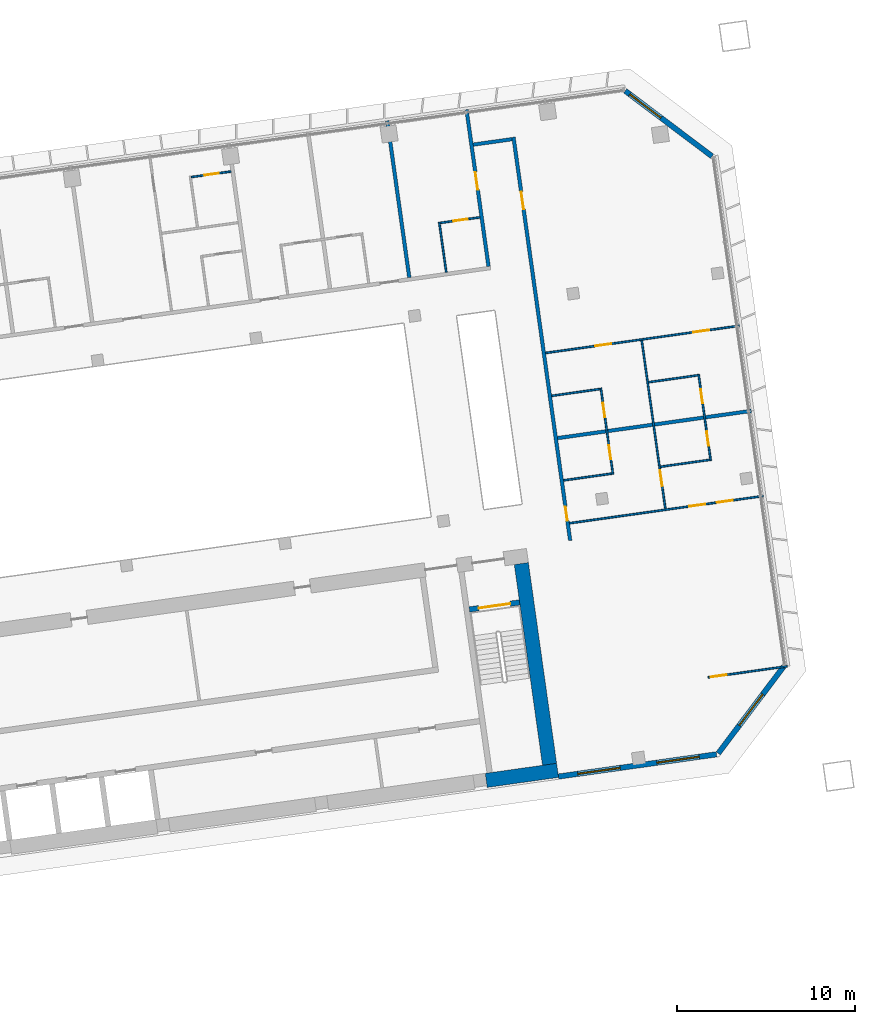
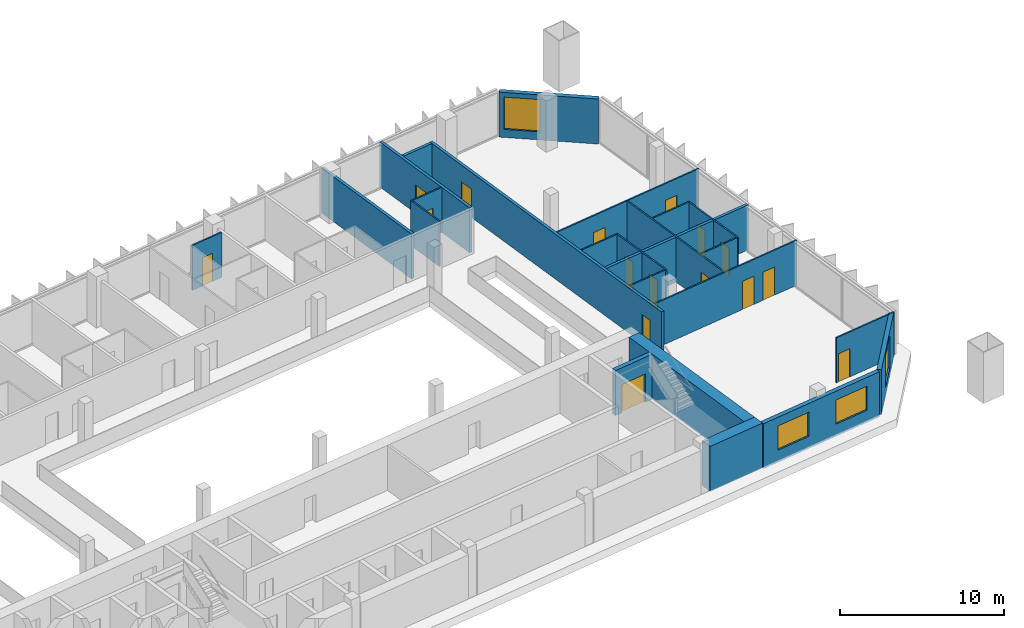
# One storey, part 21 of 24: 24 walls, 16 doors, 4 windows, 20 openings.
"""IFC4 building model written with IfcOpenShell, lengths in metres."""

import ifcopenshell
import ifcopenshell.guid

model = None  # the IFC model being written
_history = None  # IfcOwnerHistory: only IFC2X3 demands one
_inside = {}  # id of a spatial element -> (the spatial element, [elements in it])
_under = {}  # id of a project, library or spatial element -> (it, [spatial elements below it])
_declared = {}  # id of a project -> (the project, [libraries it declares])
_typed = {}  # id of a type object -> (the type object, [elements of that type])
_made_of = {}  # id of a material, layer set ... -> (it, [elements and type objects made of it])


def new_model(schema):
    """Start an empty IFC model of exactly this schema.

    Asked for "IFC4X3", IfcOpenShell would pick the latest addendum, in which some entities
    have other attributes; the version numbers below select the first issue.
    IFC2X3 requires an IfcOwnerHistory on every rooted entity: one is made here for all.
    """
    global model, _history
    if schema == "IFC4X3":
        model = ifcopenshell.file(schema_version=(4, 3, 0, 0))
    else:
        model = ifcopenshell.file(schema=schema)
    _inside.clear()
    _under.clear()
    _declared.clear()
    _typed.clear()
    _made_of.clear()
    _history = None
    if model.schema == "IFC2X3":
        org = make("IfcOrganization", Name="unknown")
        user = make(
            "IfcPersonAndOrganization",
            ThePerson=make("IfcPerson", FamilyName="unknown"),
            TheOrganization=org,
        )
        app = make(
            "IfcApplication",
            ApplicationDeveloper=org,
            Version="unknown",
            ApplicationFullName="unknown",
            ApplicationIdentifier="unknown",
        )
        _history = make(
            "IfcOwnerHistory",
            OwningUser=user,
            OwningApplication=app,
            ChangeAction="ADDED",
            CreationDate=0,
        )
    return model


def make(cls, **values):
    """One entity of the class cls with the attributes given. An attribute that is None is left unset."""
    return model.create_entity(
        cls, **{name: value for name, value in values.items() if value is not None}
    )


def rooted(cls, **values):
    """An entity with a GlobalId (a new one), such as an element, a storey or a relation."""
    return make(cls, GlobalId=ifcopenshell.guid.new(), OwnerHistory=_history, **values)


def si_unit(unit_type, name, prefix=None):
    """IfcSIUnit, for example si_unit("LENGTHUNIT", "METRE", prefix="MILLI")."""
    return make("IfcSIUnit", UnitType=unit_type, Prefix=prefix, Name=name)


def assignment(units):
    """IfcUnitAssignment: the units of a project."""
    return None if units is None else make("IfcUnitAssignment", Units=units)


def point(xyz):
    """IfcCartesianPoint."""
    return None if xyz is None else make("IfcCartesianPoint", Coordinates=xyz)


def direction(xyz):
    """IfcDirection."""
    return None if xyz is None else make("IfcDirection", DirectionRatios=xyz)


def frame(location, z_axis=None, x_axis=None):
    """IfcAxis2Placement3D, a coordinate frame: its origin and axes. An axis left out is left unset."""
    return make(
        "IfcAxis2Placement3D",
        Location=point(location),
        Axis=direction(z_axis),
        RefDirection=direction(x_axis),
    )


def frame_2d(location, x_axis=None):
    """IfcAxis2Placement2D, a coordinate frame in the plane: its origin and x axis."""
    return make(
        "IfcAxis2Placement2D", Location=point(location), RefDirection=direction(x_axis)
    )


def origin():
    """The frame at (0, 0, 0) with its axes left unset."""
    return frame((0.0, 0.0, 0.0))


def place(relative_to, where):
    """IfcLocalPlacement: puts the frame where relative to a parent placement (None: the world)."""
    return make(
        "IfcLocalPlacement", PlacementRelTo=relative_to, RelativePlacement=where
    )


def context(
    kind, dimensions, precision=None, world=None, true_north=None, identifier=None
):
    """IfcGeometricRepresentationContext, for example the 3D "Model" context."""
    return make(
        "IfcGeometricRepresentationContext",
        ContextIdentifier=identifier,
        ContextType=kind,
        CoordinateSpaceDimension=dimensions,
        Precision=precision,
        WorldCoordinateSystem=world,
        TrueNorth=true_north,
    )


def subcontext(parent, identifier, kind, view, scale=None):
    """IfcGeometricRepresentationSubContext, for example "Body" below "Model"."""
    return make(
        "IfcGeometricRepresentationSubContext",
        ContextIdentifier=identifier,
        ContextType=kind,
        ParentContext=parent,
        TargetScale=scale,
        TargetView=view,
    )


def project(units=None, contexts=None):
    """IfcProject with its units and contexts."""
    return rooted(
        "IfcProject",
        Name="project",
        RepresentationContexts=contexts,
        UnitsInContext=assignment(units),
    )


def spatial(cls, under=None, at=None, **own):
    """A site, building, storey or space (cls), placed at a placement, below another one or the project."""
    s = rooted(cls, ObjectPlacement=at, **own)
    if under is not None:
        _under.setdefault(under.id(), (under, []))[1].append(s)
    return s


def profile(cls, at=None, kind="AREA", **sizes):
    """A parametric profile (cls). Its sizes go by their IFC names, for example OverallWidth=200.0."""
    return make(cls, ProfileType=kind, Position=at, **sizes)


def rectangle(**sizes):
    """IfcRectangleProfileDef."""
    return profile("IfcRectangleProfileDef", **sizes)


def extrude(swept, where, along, depth):
    """IfcExtrudedAreaSolid: the profile swept, set in the frame where, extruded along a direction by depth."""
    return make(
        "IfcExtrudedAreaSolid",
        SweptArea=swept,
        Position=where,
        ExtrudedDirection=direction(along),
        Depth=depth,
    )


def shape(context_of_items, identifier, shape_type, items):
    """IfcShapeRepresentation: the items that make up one representation, for example the "Body"."""
    return make(
        "IfcShapeRepresentation",
        ContextOfItems=context_of_items,
        RepresentationIdentifier=identifier,
        RepresentationType=shape_type,
        Items=items,
    )


def material(Name=None, Category=None):
    """IfcMaterial."""
    return make("IfcMaterial", Name=Name, Category=Category)


def layer(
    of_material, thickness, ventilated=None, Name=None, Category=None, Priority=None
):
    """IfcMaterialLayer: one layer of a wall or slab, of a material (None: an air gap)."""
    return make(
        "IfcMaterialLayer",
        Material=of_material,
        LayerThickness=thickness,
        IsVentilated=ventilated,
        Name=Name,
        Category=Category,
        Priority=Priority,
    )


def layer_set(layers, Name=None):
    """IfcMaterialLayerSet."""
    return make("IfcMaterialLayerSet", MaterialLayers=layers, LayerSetName=Name)


def made_of(thing, what):
    """Note that an element or type object is made of a material, layer set ...; save() writes the relation."""
    if what is not None:
        _made_of.setdefault(what.id(), (what, []))[1].append(thing)
    return thing


def type_object(cls, material=None, **own):
    """A type object (cls), such as IfcWallType, which elements share."""
    return made_of(rooted(cls, **own), material)


def element(
    cls,
    number,
    at=None,
    inside=None,
    cuts=None,
    type_object=None,
    material=None,
    context=None,
    identifier="Body",
    shape_type=None,
    held_by="IfcProductDefinitionShape",
    body=None,
    shapes=None,
    **own,
):
    """One element of the class cls, such as IfcWall. Its Tag is "e" and its number.

    at: its placement. inside: the storey or other place that contains it. cuts: it is an
    opening in that element (IfcRelVoidsElement). A single representation is given by context,
    identifier, shape_type and body (its items); several are given by shapes. held_by: the class
    of the entity that holds the representations. save() writes the other relations.
    """
    e = rooted(cls, Tag="e%d" % number, ObjectPlacement=at, **own)
    if body is not None:
        shapes = [shape(context, identifier, shape_type, body)]
    if shapes is not None:
        e.Representation = make(held_by, Representations=shapes)
    if inside is not None:
        _inside.setdefault(inside.id(), (inside, []))[1].append(e)
    if cuts is not None:
        rooted(
            "IfcRelVoidsElement", RelatingBuildingElement=cuts, RelatedOpeningElement=e
        )
    if type_object is not None:
        _typed.setdefault(type_object.id(), (type_object, []))[1].append(e)
    return made_of(e, material)


def fill(opening, filler):
    """IfcRelFillsElement: the door or window that sits in an opening."""
    return rooted(
        "IfcRelFillsElement",
        RelatingOpeningElement=opening,
        RelatedBuildingElement=filler,
    )


def aggregate(whole, parts):
    """IfcRelAggregates: a whole, such as a stair, and the parts it consists of."""
    return rooted("IfcRelAggregates", RelatingObject=whole, RelatedObjects=parts)


def save(model, path):
    """Write the relations noted so far, then the file.

    IfcRelAggregates (storeys below a building ...), IfcRelContainedInSpatialStructure (elements
    in a storey), IfcRelDefinesByType, IfcRelAssociatesMaterial and IfcRelDeclares: one each for
    every whole, place, type object, material and project.
    """
    for whole, parts in _under.values():
        aggregate(whole, parts)
    for where, things in _inside.values():
        rooted(
            "IfcRelContainedInSpatialStructure",
            RelatedElements=things,
            RelatingStructure=where,
        )
    for kind, things in _typed.values():
        rooted("IfcRelDefinesByType", RelatedObjects=things, RelatingType=kind)
    for what, things in _made_of.values():
        rooted("IfcRelAssociatesMaterial", RelatedObjects=things, RelatingMaterial=what)
    for by, libraries in _declared.values():
        rooted("IfcRelDeclares", RelatingContext=by, RelatedDefinitions=libraries)
    model.write(path)


model = new_model("IFC4")

# Units and contexts
model_context = context("Model", 3, precision=1e-05, world=origin(), true_north=direction((0.0, 1.0)))
body_context = subcontext(model_context, "Body", "Model", "MODEL_VIEW")
ifc_project = project(units=[si_unit("LENGTHUNIT", "METRE"), si_unit("AREAUNIT", "SQUARE_METRE"), si_unit("VOLUMEUNIT", "CUBIC_METRE"), si_unit("PLANEANGLEUNIT", "RADIAN"), si_unit("MASSUNIT", "GRAM", prefix="KILO")], contexts=[model_context])

# Site, building, storey
site_placement = place(None, origin())
site = spatial("IfcSite", under=ifc_project, at=site_placement, CompositionType="ELEMENT")
building_placement = place(site_placement, origin())
building = spatial("IfcBuilding", under=site, at=building_placement, Name="Mirante Cascada Hotel Towers", CompositionType="ELEMENT")
storey_placement = place(building_placement, frame((0.0, 0.0, 110.1)))
storey = spatial("IfcBuildingStorey", under=building, at=storey_placement, Name="L24", CompositionType="ELEMENT", Elevation=110.1)

# Walls
ifc_material_1 = material(Name="Fire-rated plasterboard on metal studs")
ifc_layer_1 = layer(ifc_material_1, 0.2)
ifc_layer_set_1 = layer_set([ifc_layer_1], Name="Compartment wall 200 EI 120")
wall_type_1 = type_object("IfcWallType", Name="Compartment wall 200 EI 120", PredefinedType="PARTITIONING", material=ifc_layer_set_1)
wall_1_placement = place(storey_placement, frame((90.4064, 6.4896, 0.0), z_axis=(0.0, 0.0, 1.0), x_axis=(0.990268, 0.1391733, 0.0)))
element("IfcWall", 1, at=wall_1_placement, inside=storey, type_object=wall_type_1, Name="Wall 2-L24-11", PredefinedType="PARTITIONING", context=body_context, shape_type="SweptSolid", body=[
    extrude(rectangle(XDim=11.0, YDim=0.2, at=frame_2d((5.5, 0.0))), origin(), (0.0, 0.0, 1.0), 3.35),
])
wall_2_placement = place(storey_placement, frame((85.6638, 22.9901, 0.0), z_axis=(0.0, 0.0, 1.0), x_axis=(0.990267, 0.139181, 0.0)))
element("IfcWall", 2, at=wall_2_placement, inside=storey, type_object=wall_type_1, Name="Wall 2-L24-29", PredefinedType="PARTITIONING", context=body_context, shape_type="SweptSolid", body=[
    extrude(rectangle(XDim=2.2, YDim=0.2, at=frame_2d((1.1, 0.0))), origin(), (0.0, 0.0, 1.0), 3.35),
])
wall_3_placement = place(storey_placement, frame((82.0688, 15.5171, 0.0), z_axis=(0.0, 0.0, 1.0), x_axis=(-0.13917, 0.9902685, 0.0)))
element("IfcWall", 3, at=wall_3_placement, inside=storey, type_object=wall_type_1, Name="Wall 2-L24-57", PredefinedType="PARTITIONING", context=body_context, shape_type="SweptSolid", body=[
    extrude(rectangle(XDim=8.8999, YDim=0.2, at=frame_2d((4.45, 0.0))), origin(), (0.0, 0.0, 1.0), 3.35),
])

# Wall, opening, door
wall_4_placement = place(storey_placement, frame((86.525, 16.1433, 0.0), z_axis=(0.0, 0.0, 1.0), x_axis=(-0.1391684, 0.9902687, 0.0)))
wall_4 = element("IfcWall", 4, at=wall_4_placement, inside=storey, type_object=wall_type_1, Name="Wall 2-L24-59", PredefinedType="PARTITIONING", context=body_context, shape_type="SweptSolid", body=[
    extrude(rectangle(XDim=8.9, YDim=0.2, at=frame_2d((4.45, 0.0))), origin(), (0.0, 0.0, 1.0), 3.35),
])
opening_1_placement = place(wall_4_placement, frame((4.35, 0.0, 0.0)))
opening_1 = element("IfcOpeningElement", 5, at=opening_1_placement, cuts=wall_4, Name="Opening D2-L24-36", PredefinedType="OPENING", context=body_context, shape_type="SweptSolid", body=[
    extrude(rectangle(XDim=1.0, YDim=2.1, at=frame_2d((0.5, 1.05))), frame((0.0, 0.1, 0.0), z_axis=(0.0, -1.0, 0.0), x_axis=(1.0, 0.0, 0.0)), (0.0, 0.0, 1.0), 0.2),
])
ifc_material_2 = material(Name="Fire-rated timber door leaf", Category="wood")
door_type_1 = type_object("IfcDoorType", Name="Entrance door DG1 1000x2100 EI 60", OperationType="SINGLE_SWING_LEFT", PredefinedType="DOOR", material=ifc_material_2)
door_1_placement = place(opening_1_placement, origin())
door_1 = element("IfcDoor", 6, at=door_1_placement, inside=storey, type_object=door_type_1, Name="Door D2-L24-36", OperationType="SINGLE_SWING_LEFT", OverallHeight=2.1, OverallWidth=1.0, PredefinedType="DOOR", context=body_context, shape_type="SweptSolid", body=[
    extrude(rectangle(XDim=1.0, YDim=2.1, at=frame_2d((0.5, 1.05))), frame((0.0, 0.025, 0.0), z_axis=(0.0, -1.0, 0.0), x_axis=(1.0, 0.0, 0.0)), (0.0, 0.0, 1.0), 0.05),
])
fill(opening_1, door_1)

# Wall, openings, doors
wall_5_placement = place(storey_placement, frame((87.9275, 23.4092, 0.0), z_axis=(0.0, 0.0, 1.0), x_axis=(0.1391706, -0.9902684, 0.0)))
wall_5 = element("IfcWall", 7, at=wall_5_placement, inside=storey, type_object=wall_type_1, Name="Wall 2-L24-60", PredefinedType="PARTITIONING", context=body_context, shape_type="SweptSolid", body=[
    extrude(rectangle(XDim=22.9, YDim=0.2, at=frame_2d((11.45, 0.0))), origin(), (0.0, 0.0, 1.0), 3.35),
])
opening_2_placement = place(wall_5_placement, frame((20.9833, 0.0, 0.0)))
opening_2 = element("IfcOpeningElement", 8, at=opening_2_placement, cuts=wall_5, Name="Opening D2-L24-37", PredefinedType="OPENING", context=body_context, shape_type="SweptSolid", body=[
    extrude(rectangle(XDim=0.8, YDim=2.1, at=frame_2d((0.4, 1.05))), frame((0.0, 0.1, 0.0), z_axis=(0.0, -1.0, 0.0), x_axis=(1.0, 0.0, 0.0)), (0.0, 0.0, 1.0), 0.2),
])
opening_3_placement = place(wall_5_placement, frame((3.1, 0.0, 0.0)))
opening_3 = element("IfcOpeningElement", 9, at=opening_3_placement, cuts=wall_5, Name="Opening D2-L24-38", PredefinedType="OPENING", context=body_context, shape_type="SweptSolid", body=[
    extrude(rectangle(XDim=1.0, YDim=2.1, at=frame_2d((0.5, 1.05))), frame((0.0, 0.1, 0.0), z_axis=(0.0, -1.0, 0.0), x_axis=(1.0, 0.0, 0.0)), (0.0, 0.0, 1.0), 0.2),
])
ifc_material_3 = material(Name="Fire-rated timber door leaf", Category="wood")
door_type_2 = type_object("IfcDoorType", Name="Bathroom door DG4 800x2100 EI 60", OperationType="SINGLE_SWING_LEFT", PredefinedType="DOOR", material=ifc_material_3)
door_2_placement = place(opening_2_placement, origin())
door_2 = element("IfcDoor", 10, at=door_2_placement, inside=storey, type_object=door_type_2, Name="Door D2-L24-37", OperationType="SINGLE_SWING_LEFT", OverallHeight=2.1, OverallWidth=0.8, PredefinedType="DOOR", context=body_context, shape_type="SweptSolid", body=[
    extrude(rectangle(XDim=0.8, YDim=2.1, at=frame_2d((0.4, 1.05))), frame((0.0, 0.025, 0.0), z_axis=(0.0, -1.0, 0.0), x_axis=(1.0, 0.0, 0.0)), (0.0, 0.0, 1.0), 0.05),
])
fill(opening_2, door_2)
door_3_placement = place(opening_3_placement, origin())
door_3 = element("IfcDoor", 11, at=door_3_placement, inside=storey, type_object=door_type_1, Name="Door D2-L24-38", OperationType="SINGLE_SWING_LEFT", OverallHeight=2.1, OverallWidth=1.0, PredefinedType="DOOR", context=body_context, shape_type="SweptSolid", body=[
    extrude(rectangle(XDim=1.0, YDim=2.1, at=frame_2d((0.5, 1.05))), frame((0.0, 0.025, 0.0), z_axis=(0.0, -1.0, 0.0), x_axis=(1.0, 0.0, 0.0)), (0.0, 0.0, 1.0), 0.05),
])
fill(opening_3, door_3)

# Wall, opening, door
ifc_material_4 = material(Name="Plasterboard on metal studs")
ifc_layer_2 = layer(ifc_material_4, 0.1)
ifc_layer_set_2 = layer_set([ifc_layer_2], Name="Partition 100")
wall_type_2 = type_object("IfcWallType", Name="Partition 100", PredefinedType="PARTITIONING", material=ifc_layer_set_2)
wall_6_placement = place(storey_placement, frame((98.8611, -6.9647, 0.0), z_axis=(0.0, 0.0, 1.0), x_axis=(0.9902674, 0.1391779, 0.0)))
wall_6 = element("IfcWall", 12, at=wall_6_placement, inside=storey, type_object=wall_type_2, Name="Wall 2-L24-01", PredefinedType="PARTITIONING", context=body_context, shape_type="SweptSolid", body=[
    extrude(rectangle(XDim=4.5, YDim=0.1, at=frame_2d((2.25, 0.0))), origin(), (0.0, 0.0, 1.0), 3.35),
])
opening_4_placement = place(wall_6_placement, frame((0.15, 0.0, 0.0)))
opening_4 = element("IfcOpeningElement", 13, at=opening_4_placement, cuts=wall_6, Name="Opening D2-L24-01", PredefinedType="OPENING", context=body_context, shape_type="SweptSolid", body=[
    extrude(rectangle(XDim=0.9, YDim=2.1, at=frame_2d((0.45, 1.05))), frame((0.0, 0.05, 0.0), z_axis=(0.0, -1.0, 0.0), x_axis=(1.0, 0.0, 0.0)), (0.0, 0.0, 1.0), 0.1),
])
ifc_material_5 = material(Name="Timber door leaf", Category="wood")
door_type_3 = type_object("IfcDoorType", Name="Room door DG3 900x2100", OperationType="SINGLE_SWING_LEFT", PredefinedType="DOOR", material=ifc_material_5)
door_4_placement = place(opening_4_placement, origin())
door_4 = element("IfcDoor", 14, at=door_4_placement, inside=storey, type_object=door_type_3, Name="Door D2-L24-01", OperationType="SINGLE_SWING_LEFT", OverallHeight=2.1, OverallWidth=0.9, PredefinedType="DOOR", context=body_context, shape_type="SweptSolid", body=[
    extrude(rectangle(XDim=0.9, YDim=2.1, at=frame_2d((0.45, 1.05))), frame((0.0, 0.025, 0.0), z_axis=(0.0, -1.0, 0.0), x_axis=(1.0, 0.0, 0.0)), (0.0, 0.0, 1.0), 0.05),
])
fill(opening_4, door_4)

# Wall, openings, doors
wall_7_placement = place(storey_placement, frame((91.079, 1.7033, 0.0), z_axis=(0.0, 0.0, 1.0), x_axis=(0.9902682, 0.1391721, 0.0)))
wall_7 = element("IfcWall", 15, at=wall_7_placement, inside=storey, type_object=wall_type_2, Name="Wall 2-L24-05", PredefinedType="PARTITIONING", context=body_context, shape_type="SweptSolid", body=[
    extrude(rectangle(XDim=11.0001, YDim=0.1, at=frame_2d((5.5, 0.0))), origin(), (0.0, 0.0, 1.0), 3.35),
])
opening_5_placement = place(wall_7_placement, frame((6.8, 0.0, 0.0)))
opening_5 = element("IfcOpeningElement", 16, at=opening_5_placement, cuts=wall_7, Name="Opening D2-L24-03", PredefinedType="OPENING", context=body_context, shape_type="SweptSolid", body=[
    extrude(rectangle(XDim=0.9, YDim=2.1, at=frame_2d((0.45, 1.05))), frame((0.0, 0.05, 0.0), z_axis=(0.0, -1.0, 0.0), x_axis=(1.0, 0.0, 0.0)), (0.0, 0.0, 1.0), 0.1),
])
opening_6_placement = place(wall_7_placement, frame((8.375, 0.0, 0.0)))
opening_6 = element("IfcOpeningElement", 17, at=opening_6_placement, cuts=wall_7, Name="Opening D2-L24-04", PredefinedType="OPENING", context=body_context, shape_type="SweptSolid", body=[
    extrude(rectangle(XDim=0.9, YDim=2.1, at=frame_2d((0.45, 1.05))), frame((0.0, 0.05, 0.0), z_axis=(0.0, -1.0, 0.0), x_axis=(1.0, 0.0, 0.0)), (0.0, 0.0, 1.0), 0.1),
])
door_5_placement = place(opening_5_placement, frame((0.9, 0.0, 0.0), z_axis=(0.0, 0.0, 1.0), x_axis=(-1.0, 0.0, 0.0)))
door_5 = element("IfcDoor", 18, at=door_5_placement, inside=storey, type_object=door_type_3, Name="Door D2-L24-03", OperationType="SINGLE_SWING_RIGHT", OverallHeight=2.1, OverallWidth=0.9, PredefinedType="DOOR", context=body_context, shape_type="SweptSolid", body=[
    extrude(rectangle(XDim=0.9, YDim=2.1, at=frame_2d((0.45, 1.05))), frame((0.0, 0.025, 0.0), z_axis=(0.0, -1.0, 0.0), x_axis=(1.0, 0.0, 0.0)), (0.0, 0.0, 1.0), 0.05),
])
fill(opening_5, door_5)
door_6_placement = place(opening_6_placement, frame((0.9, 0.0, 0.0), z_axis=(0.0, 0.0, 1.0), x_axis=(-1.0, 0.0, 0.0)))
door_6 = element("IfcDoor", 19, at=door_6_placement, inside=storey, type_object=door_type_3, Name="Door D2-L24-04", OperationType="SINGLE_SWING_RIGHT", OverallHeight=2.1, OverallWidth=0.9, PredefinedType="DOOR", context=body_context, shape_type="SweptSolid", body=[
    extrude(rectangle(XDim=0.9, YDim=2.1, at=frame_2d((0.45, 1.05))), frame((0.0, 0.025, 0.0), z_axis=(0.0, -1.0, 0.0), x_axis=(1.0, 0.0, 0.0)), (0.0, 0.0, 1.0), 0.05),
])
fill(opening_6, door_6)

# Walls
wall_8_placement = place(storey_placement, frame((93.4636, 4.4956, 0.0), z_axis=(0.0, 0.0, 1.0), x_axis=(-0.9902691, -0.1391657, 0.0)))
element("IfcWall", 20, at=wall_8_placement, inside=storey, type_object=wall_type_2, Name="Wall 2-L24-06", PredefinedType="PARTITIONING", context=body_context, shape_type="SweptSolid", body=[
    extrude(rectangle(XDim=2.75, YDim=0.1, at=frame_2d((1.375, 0.0))), origin(), (0.0, 0.0, 1.0), 3.35),
])
wall_9_placement = place(storey_placement, frame((96.1868, 4.8784, 0.0), z_axis=(0.0, 0.0, 1.0), x_axis=(0.9902677, 0.139176, 0.0)))
element("IfcWall", 21, at=wall_9_placement, inside=storey, type_object=wall_type_2, Name="Wall 2-L24-07", PredefinedType="PARTITIONING", context=body_context, shape_type="SweptSolid", body=[
    extrude(rectangle(XDim=2.8001, YDim=0.1, at=frame_2d((1.4, 0.0))), origin(), (0.0, 0.0, 1.0), 3.35),
])
wall_10_placement = place(storey_placement, frame((92.7956, 9.2489, 0.0), z_axis=(0.0, 0.0, 1.0), x_axis=(-0.9902698, -0.1391607, 0.0)))
element("IfcWall", 22, at=wall_10_placement, inside=storey, type_object=wall_type_2, Name="Wall 2-L24-14", PredefinedType="PARTITIONING", context=body_context, shape_type="SweptSolid", body=[
    extrude(rectangle(XDim=2.7501, YDim=0.1, at=frame_2d((1.3751, 0.0))), origin(), (0.0, 0.0, 1.0), 3.35),
])
wall_11_placement = place(storey_placement, frame((95.5188, 9.6317, 0.0), z_axis=(0.0, 0.0, 1.0), x_axis=(0.9902726, 0.139141, 0.0)))
element("IfcWall", 23, at=wall_11_placement, inside=storey, type_object=wall_type_2, Name="Wall 2-L24-15", PredefinedType="PARTITIONING", context=body_context, shape_type="SweptSolid", body=[
    extrude(rectangle(XDim=2.8, YDim=0.1, at=frame_2d((1.4, 0.0))), origin(), (0.0, 0.0, 1.0), 3.35),
])

# Wall, openings, doors
wall_12_placement = place(storey_placement, frame((89.7337, 11.2758, 0.0), z_axis=(0.0, 0.0, 1.0), x_axis=(0.990268, 0.1391733, 0.0)))
wall_12 = element("IfcWall", 24, at=wall_12_placement, inside=storey, type_object=wall_type_2, Name="Wall 2-L24-17", PredefinedType="PARTITIONING", context=body_context, shape_type="SweptSolid", body=[
    extrude(rectangle(XDim=11.0, YDim=0.1, at=frame_2d((5.5, 0.0))), origin(), (0.0, 0.0, 1.0), 3.35),
])
opening_7_placement = place(wall_12_placement, frame((2.825, 0.0, 0.0)))
opening_7 = element("IfcOpeningElement", 25, at=opening_7_placement, cuts=wall_12, Name="Opening D2-L24-07", PredefinedType="OPENING", context=body_context, shape_type="SweptSolid", body=[
    extrude(rectangle(XDim=0.9, YDim=2.1, at=frame_2d((0.45, 1.05))), frame((0.0, 0.05, 0.0), z_axis=(0.0, -1.0, 0.0), x_axis=(1.0, 0.0, 0.0)), (0.0, 0.0, 1.0), 0.1),
])
opening_8_placement = place(wall_12_placement, frame((8.375, 0.0, 0.0)))
opening_8 = element("IfcOpeningElement", 26, at=opening_8_placement, cuts=wall_12, Name="Opening D2-L24-08", PredefinedType="OPENING", context=body_context, shape_type="SweptSolid", body=[
    extrude(rectangle(XDim=0.9, YDim=2.1, at=frame_2d((0.45, 1.05))), frame((0.0, 0.05, 0.0), z_axis=(0.0, -1.0, 0.0), x_axis=(1.0, 0.0, 0.0)), (0.0, 0.0, 1.0), 0.1),
])
door_7_placement = place(opening_7_placement, origin())
door_7 = element("IfcDoor", 27, at=door_7_placement, inside=storey, type_object=door_type_3, Name="Door D2-L24-07", OperationType="SINGLE_SWING_LEFT", OverallHeight=2.1, OverallWidth=0.9, PredefinedType="DOOR", context=body_context, shape_type="SweptSolid", body=[
    extrude(rectangle(XDim=0.9, YDim=2.1, at=frame_2d((0.45, 1.05))), frame((0.0, 0.025, 0.0), z_axis=(0.0, -1.0, 0.0), x_axis=(1.0, 0.0, 0.0)), (0.0, 0.0, 1.0), 0.05),
])
fill(opening_7, door_7)
door_8_placement = place(opening_8_placement, origin())
door_8 = element("IfcDoor", 28, at=door_8_placement, inside=storey, type_object=door_type_3, Name="Door D2-L24-08", OperationType="SINGLE_SWING_LEFT", OverallHeight=2.1, OverallWidth=0.9, PredefinedType="DOOR", context=body_context, shape_type="SweptSolid", body=[
    extrude(rectangle(XDim=0.9, YDim=2.1, at=frame_2d((0.45, 1.05))), frame((0.0, 0.025, 0.0), z_axis=(0.0, -1.0, 0.0), x_axis=(1.0, 0.0, 0.0)), (0.0, 0.0, 1.0), 0.05),
])
fill(opening_8, door_8)

# Wall, opening, door
wall_13_placement = place(storey_placement, frame((86.0363, 18.9022, 0.0), z_axis=(0.0, 0.0, 1.0), x_axis=(-0.9902643, -0.1391997, 0.0)))
wall_13 = element("IfcWall", 29, at=wall_13_placement, inside=storey, type_object=wall_type_2, Name="Wall 2-L24-24", PredefinedType="PARTITIONING", context=body_context, shape_type="SweptSolid", body=[
    extrude(rectangle(XDim=2.25, YDim=0.1, at=frame_2d((1.125, 0.0))), origin(), (0.0, 0.0, 1.0), 3.35),
])
opening_9_placement = place(wall_13_placement, frame((0.7, 0.0, 0.0)))
opening_9 = element("IfcOpeningElement", 30, at=opening_9_placement, cuts=wall_13, Name="Opening D2-L24-23", PredefinedType="OPENING", context=body_context, shape_type="SweptSolid", body=[
    extrude(rectangle(XDim=0.8, YDim=2.1, at=frame_2d((0.4, 1.05))), frame((0.0, 0.05, 0.0), z_axis=(0.0, -1.0, 0.0), x_axis=(1.0, 0.0, 0.0)), (0.0, 0.0, 1.0), 0.1),
])
ifc_material_6 = material(Name="Timber door leaf", Category="wood")
door_type_4 = type_object("IfcDoorType", Name="Bathroom door DG4 800x2100", OperationType="SINGLE_SWING_LEFT", PredefinedType="DOOR", material=ifc_material_6)
door_9_placement = place(opening_9_placement, frame((0.8, 0.0, 0.0), z_axis=(0.0, 0.0, 1.0), x_axis=(-1.0, 0.0, 0.0)))
door_9 = element("IfcDoor", 31, at=door_9_placement, inside=storey, type_object=door_type_4, Name="Door D2-L24-23", OperationType="SINGLE_SWING_RIGHT", OverallHeight=2.1, OverallWidth=0.8, PredefinedType="DOOR", context=body_context, shape_type="SweptSolid", body=[
    extrude(rectangle(XDim=0.8, YDim=2.1, at=frame_2d((0.4, 1.05))), frame((0.0, 0.025, 0.0), z_axis=(0.0, -1.0, 0.0), x_axis=(1.0, 0.0, 0.0)), (0.0, 0.0, 1.0), 0.05),
])
fill(opening_9, door_9)

wall_14_placement = place(storey_placement, frame((69.8133, 21.1664, 0.0), z_axis=(0.0, 0.0, 1.0), x_axis=(0.9902705, 0.1391561, 0.0)))
wall_14 = element("IfcWall", 32, at=wall_14_placement, inside=storey, type_object=wall_type_2, Name="Wall 2-L24-31", PredefinedType="PARTITIONING", context=body_context, shape_type="SweptSolid", body=[
    extrude(rectangle(XDim=2.25, YDim=0.1, at=frame_2d((1.125, 0.0))), origin(), (0.0, 0.0, 1.0), 3.35),
])
opening_10_placement = place(wall_14_placement, frame((0.75, 0.0, 0.0)))
opening_10 = element("IfcOpeningElement", 33, at=opening_10_placement, cuts=wall_14, Name="Opening D2-L24-25", PredefinedType="OPENING", context=body_context, shape_type="SweptSolid", body=[
    extrude(rectangle(XDim=0.8, YDim=2.1, at=frame_2d((0.4, 1.05))), frame((0.0, 0.05, 0.0), z_axis=(0.0, -1.0, 0.0), x_axis=(1.0, 0.0, 0.0)), (0.0, 0.0, 1.0), 0.1),
])
door_10_placement = place(opening_10_placement, frame((0.8, 0.0, 0.0), z_axis=(0.0, 0.0, 1.0), x_axis=(-1.0, 0.0, 0.0)))
door_10 = element("IfcDoor", 34, at=door_10_placement, inside=storey, type_object=door_type_4, Name="Door D2-L24-25", OperationType="SINGLE_SWING_RIGHT", OverallHeight=2.1, OverallWidth=0.8, PredefinedType="DOOR", context=body_context, shape_type="SweptSolid", body=[
    extrude(rectangle(XDim=0.8, YDim=2.1, at=frame_2d((0.4, 1.05))), frame((0.0, 0.025, 0.0), z_axis=(0.0, -1.0, 0.0), x_axis=(1.0, 0.0, 0.0)), (0.0, 0.0, 1.0), 0.05),
])
fill(opening_10, door_10)

# Wall
wall_15_placement = place(storey_placement, frame((83.7517, 18.6316, 0.0), z_axis=(0.0, 0.0, 1.0), x_axis=(0.1391909, -0.9902656, 0.0)))
element("IfcWall", 35, at=wall_15_placement, inside=storey, type_object=wall_type_2, Name="Wall 2-L24-58", PredefinedType="PARTITIONING", context=body_context, shape_type="SweptSolid", body=[
    extrude(rectangle(XDim=2.85, YDim=0.1, at=frame_2d((1.425, 0.0))), origin(), (0.0, 0.0, 1.0), 3.35),
])

# Wall, openings, doors
wall_16_placement = place(storey_placement, frame((93.5201, 4.4531, 0.0), z_axis=(0.0, 0.0, 1.0), x_axis=(-0.1391838, 0.9902666, 0.0)))
wall_16 = element("IfcWall", 36, at=wall_16_placement, inside=storey, type_object=wall_type_2, Name="Wall 2-L24-61", PredefinedType="PARTITIONING", context=body_context, shape_type="SweptSolid", body=[
    extrude(rectangle(XDim=4.9, YDim=0.1, at=frame_2d((2.45, 0.0))), origin(), (0.0, 0.0, 1.0), 3.35),
])
opening_11_placement = place(wall_16_placement, frame((0.85, 0.0, 0.0)))
opening_11 = element("IfcOpeningElement", 37, at=opening_11_placement, cuts=wall_16, Name="Opening D2-L24-39", PredefinedType="OPENING", context=body_context, shape_type="SweptSolid", body=[
    extrude(rectangle(XDim=0.8, YDim=2.1, at=frame_2d((0.4, 1.05))), frame((0.0, 0.05, 0.0), z_axis=(0.0, -1.0, 0.0), x_axis=(1.0, 0.0, 0.0)), (0.0, 0.0, 1.0), 0.1),
])
opening_12_placement = place(wall_16_placement, frame((3.25, 0.0, 0.0)))
opening_12 = element("IfcOpeningElement", 38, at=opening_12_placement, cuts=wall_16, Name="Opening D2-L24-40", PredefinedType="OPENING", context=body_context, shape_type="SweptSolid", body=[
    extrude(rectangle(XDim=0.8, YDim=2.1, at=frame_2d((0.4, 1.05))), frame((0.0, 0.05, 0.0), z_axis=(0.0, -1.0, 0.0), x_axis=(1.0, 0.0, 0.0)), (0.0, 0.0, 1.0), 0.1),
])
door_11_placement = place(opening_11_placement, origin())
door_11 = element("IfcDoor", 39, at=door_11_placement, inside=storey, type_object=door_type_4, Name="Door D2-L24-39", OperationType="SINGLE_SWING_LEFT", OverallHeight=2.1, OverallWidth=0.8, PredefinedType="DOOR", context=body_context, shape_type="SweptSolid", body=[
    extrude(rectangle(XDim=0.8, YDim=2.1, at=frame_2d((0.4, 1.05))), frame((0.0, 0.025, 0.0), z_axis=(0.0, -1.0, 0.0), x_axis=(1.0, 0.0, 0.0)), (0.0, 0.0, 1.0), 0.05),
])
fill(opening_11, door_11)
door_12_placement = place(opening_12_placement, origin())
door_12 = element("IfcDoor", 40, at=door_12_placement, inside=storey, type_object=door_type_4, Name="Door D2-L24-40", OperationType="SINGLE_SWING_LEFT", OverallHeight=2.1, OverallWidth=0.8, PredefinedType="DOOR", context=body_context, shape_type="SweptSolid", body=[
    extrude(rectangle(XDim=0.8, YDim=2.1, at=frame_2d((0.4, 1.05))), frame((0.0, 0.025, 0.0), z_axis=(0.0, -1.0, 0.0), x_axis=(1.0, 0.0, 0.0)), (0.0, 0.0, 1.0), 0.05),
])
fill(opening_12, door_12)

# Wall, opening, door
wall_17_placement = place(storey_placement, frame((95.1376, 11.9848, 0.0), z_axis=(0.0, 0.0, 1.0), x_axis=(0.1391717, -0.9902683, 0.0)))
wall_17 = element("IfcWall", 41, at=wall_17_placement, inside=storey, type_object=wall_type_2, Name="Wall 2-L24-62", PredefinedType="PARTITIONING", context=body_context, shape_type="SweptSolid", body=[
    extrude(rectangle(XDim=9.5666, YDim=0.1, at=frame_2d((4.7833, 0.0))), origin(), (0.0, 0.0, 1.0), 3.35),
])
opening_13_placement = place(wall_17_placement, frame((7.3666, 0.0, 0.0)))
opening_13 = element("IfcOpeningElement", 42, at=opening_13_placement, cuts=wall_17, Name="Opening D2-L24-41", PredefinedType="OPENING", context=body_context, shape_type="SweptSolid", body=[
    extrude(rectangle(XDim=0.9, YDim=2.1, at=frame_2d((0.45, 1.05))), frame((0.0, 0.05, 0.0), z_axis=(0.0, -1.0, 0.0), x_axis=(1.0, 0.0, 0.0)), (0.0, 0.0, 1.0), 0.1),
])
door_13_placement = place(opening_13_placement, frame((0.9, 0.0, 0.0), z_axis=(0.0, 0.0, 1.0), x_axis=(-1.0, 0.0, 0.0)))
door_13 = element("IfcDoor", 43, at=door_13_placement, inside=storey, type_object=door_type_3, Name="Door D2-L24-41", OperationType="SINGLE_SWING_RIGHT", OverallHeight=2.1, OverallWidth=0.9, PredefinedType="DOOR", context=body_context, shape_type="SweptSolid", body=[
    extrude(rectangle(XDim=0.9, YDim=2.1, at=frame_2d((0.45, 1.05))), frame((0.0, 0.025, 0.0), z_axis=(0.0, -1.0, 0.0), x_axis=(1.0, 0.0, 0.0)), (0.0, 0.0, 1.0), 0.05),
])
fill(opening_13, door_13)

# Wall, openings, doors
wall_18_placement = place(storey_placement, frame((99.0161, 5.2255, 0.0), z_axis=(0.0, 0.0, 1.0), x_axis=(-0.1391838, 0.9902666, 0.0)))
wall_18 = element("IfcWall", 44, at=wall_18_placement, inside=storey, type_object=wall_type_2, Name="Wall 2-L24-63", PredefinedType="PARTITIONING", context=body_context, shape_type="SweptSolid", body=[
    extrude(rectangle(XDim=4.9, YDim=0.1, at=frame_2d((2.45, 0.0))), origin(), (0.0, 0.0, 1.0), 3.35),
])
opening_14_placement = place(wall_18_placement, frame((0.85, 0.0, 0.0)))
opening_14 = element("IfcOpeningElement", 45, at=opening_14_placement, cuts=wall_18, Name="Opening D2-L24-42", PredefinedType="OPENING", context=body_context, shape_type="SweptSolid", body=[
    extrude(rectangle(XDim=0.8, YDim=2.1, at=frame_2d((0.4, 1.05))), frame((0.0, 0.05, 0.0), z_axis=(0.0, -1.0, 0.0), x_axis=(1.0, 0.0, 0.0)), (0.0, 0.0, 1.0), 0.1),
])
opening_15_placement = place(wall_18_placement, frame((3.25, 0.0, 0.0)))
opening_15 = element("IfcOpeningElement", 46, at=opening_15_placement, cuts=wall_18, Name="Opening D2-L24-43", PredefinedType="OPENING", context=body_context, shape_type="SweptSolid", body=[
    extrude(rectangle(XDim=0.8, YDim=2.1, at=frame_2d((0.4, 1.05))), frame((0.0, 0.05, 0.0), z_axis=(0.0, -1.0, 0.0), x_axis=(1.0, 0.0, 0.0)), (0.0, 0.0, 1.0), 0.1),
])
door_14_placement = place(opening_14_placement, origin())
door_14 = element("IfcDoor", 47, at=door_14_placement, inside=storey, type_object=door_type_4, Name="Door D2-L24-42", OperationType="SINGLE_SWING_LEFT", OverallHeight=2.1, OverallWidth=0.8, PredefinedType="DOOR", context=body_context, shape_type="SweptSolid", body=[
    extrude(rectangle(XDim=0.8, YDim=2.1, at=frame_2d((0.4, 1.05))), frame((0.0, 0.025, 0.0), z_axis=(0.0, -1.0, 0.0), x_axis=(1.0, 0.0, 0.0)), (0.0, 0.0, 1.0), 0.05),
])
fill(opening_14, door_14)
door_15_placement = place(opening_15_placement, origin())
door_15 = element("IfcDoor", 48, at=door_15_placement, inside=storey, type_object=door_type_4, Name="Door D2-L24-43", OperationType="SINGLE_SWING_LEFT", OverallHeight=2.1, OverallWidth=0.8, PredefinedType="DOOR", context=body_context, shape_type="SweptSolid", body=[
    extrude(rectangle(XDim=0.8, YDim=2.1, at=frame_2d((0.4, 1.05))), frame((0.0, 0.025, 0.0), z_axis=(0.0, -1.0, 0.0), x_axis=(1.0, 0.0, 0.0)), (0.0, 0.0, 1.0), 0.05),
])
fill(opening_15, door_15)

# Wall, openings, windows
ifc_material_7 = material(Name="Precast concrete C40/50", Category="concrete")
ifc_layer_3 = layer(ifc_material_7, 0.3)
ifc_layer_set_3 = layer_set([ifc_layer_3], Name="Precast concrete C40/50 cladding wall 300")
wall_type_3 = type_object("IfcWallType", Name="Precast concrete C40/50 cladding wall 300", PredefinedType="STANDARD", material=ifc_layer_set_3)
wall_19_placement = place(storey_placement, frame((90.4551, -12.5388, 0.0), z_axis=(0.0, 0.0, 1.0), x_axis=(0.990268, 0.1391734, 0.0)))
wall_19 = element("IfcWall", 49, at=wall_19_placement, inside=storey, type_object=wall_type_3, Name="Rear cladding wall T2 L24 1", PredefinedType="STANDARD", context=body_context, shape_type="SweptSolid", body=[
    extrude(rectangle(XDim=8.9759, YDim=0.3, at=frame_2d((4.488, 0.0))), origin(), (0.0, 0.0, 1.0), 3.35),
])
opening_16_placement = place(wall_19_placement, frame((1.1012, 0.0, 0.9)))
opening_16 = element("IfcOpeningElement", 50, at=opening_16_placement, cuts=wall_19, Name="Opening W2-24-01", PredefinedType="OPENING", context=body_context, shape_type="SweptSolid", body=[
    extrude(rectangle(XDim=2.4, YDim=1.8, at=frame_2d((1.2, 0.9))), frame((0.0, 0.15, 0.0), z_axis=(0.0, -1.0, 0.0), x_axis=(1.0, 0.0, 0.0)), (0.0, 0.0, 1.0), 0.3),
])
opening_17_placement = place(wall_19_placement, frame((5.5923, 0.0, 0.9)))
opening_17 = element("IfcOpeningElement", 51, at=opening_17_placement, cuts=wall_19, Name="Opening W2-24-02", PredefinedType="OPENING", context=body_context, shape_type="SweptSolid", body=[
    extrude(rectangle(XDim=2.4, YDim=1.8, at=frame_2d((1.2, 0.9))), frame((0.0, 0.15, 0.0), z_axis=(0.0, -1.0, 0.0), x_axis=(1.0, 0.0, 0.0)), (0.0, 0.0, 1.0), 0.3),
])
ifc_material_8 = material(Name="Aluminium frame with clear double glazing", Category="aluminium")
window_type_1 = type_object("IfcWindowType", Name="Punched window 2400x1800", PartitioningType="DOUBLE_PANEL_VERTICAL", PredefinedType="WINDOW", material=ifc_material_8)
window_1_placement = place(opening_16_placement, origin())
window_1 = element("IfcWindow", 52, at=window_1_placement, inside=storey, type_object=window_type_1, Name="Window W2-24-01", OverallHeight=1.8, OverallWidth=2.4, PartitioningType="SINGLE_PANEL", PredefinedType="WINDOW", context=body_context, shape_type="SweptSolid", body=[
    extrude(rectangle(XDim=2.4, YDim=1.8, at=frame_2d((1.2, 0.9))), frame((0.0, 0.03, 0.0), z_axis=(0.0, -1.0, 0.0), x_axis=(1.0, 0.0, 0.0)), (0.0, 0.0, 1.0), 0.06),
])
fill(opening_16, window_1)
window_2_placement = place(opening_17_placement, origin())
window_2 = element("IfcWindow", 53, at=window_2_placement, inside=storey, type_object=window_type_1, Name="Window W2-24-02", OverallHeight=1.8, OverallWidth=2.4, PartitioningType="SINGLE_PANEL", PredefinedType="WINDOW", context=body_context, shape_type="SweptSolid", body=[
    extrude(rectangle(XDim=2.4, YDim=1.8, at=frame_2d((1.2, 0.9))), frame((0.0, 0.03, 0.0), z_axis=(0.0, -1.0, 0.0), x_axis=(1.0, 0.0, 0.0)), (0.0, 0.0, 1.0), 0.06),
])
fill(opening_17, window_2)

# Wall, opening, window
wall_20_placement = place(storey_placement, frame((99.4423, -11.2315, 0.0), z_axis=(0.0, 0.0, 1.0), x_axis=(0.6018141, 0.7986362, 0.0)))
wall_20 = element("IfcWall", 54, at=wall_20_placement, inside=storey, type_object=wall_type_3, Name="Corner cladding wall T2 L24 rear outer", PredefinedType="STANDARD", context=body_context, shape_type="SweptSolid", body=[
    extrude(rectangle(XDim=6.1157, YDim=0.3, at=frame_2d((3.0578, 0.0))), origin(), (0.0, 0.0, 1.0), 3.35),
])
opening_18_placement = place(wall_20_placement, frame((1.9578, 0.0, 0.6)))
opening_18 = element("IfcOpeningElement", 55, at=opening_18_placement, cuts=wall_20, Name="Opening W2-24-03", PredefinedType="OPENING", context=body_context, shape_type="SweptSolid", body=[
    extrude(rectangle(XDim=2.2, YDim=2.4, at=frame_2d((1.1, 1.2))), frame((0.0, 0.15, 0.0), z_axis=(0.0, -1.0, 0.0), x_axis=(1.0, 0.0, 0.0)), (0.0, 0.0, 1.0), 0.3),
])
ifc_material_9 = material(Name="Aluminium frame with clear double glazing", Category="aluminium")
window_type_2 = type_object("IfcWindowType", Name="Corner suite window 2200x2400", PartitioningType="DOUBLE_PANEL_VERTICAL", PredefinedType="WINDOW", material=ifc_material_9)
window_3_placement = place(opening_18_placement, origin())
window_3 = element("IfcWindow", 56, at=window_3_placement, inside=storey, type_object=window_type_2, Name="Window W2-24-03", OverallHeight=2.4, OverallWidth=2.2, PartitioningType="SINGLE_PANEL", PredefinedType="WINDOW", context=body_context, shape_type="SweptSolid", body=[
    extrude(rectangle(XDim=2.2, YDim=2.4, at=frame_2d((1.1, 1.2))), frame((0.0, 0.03, 0.0), z_axis=(0.0, -1.0, 0.0), x_axis=(1.0, 0.0, 0.0)), (0.0, 0.0, 1.0), 0.06),
])
fill(opening_18, window_3)

wall_21_placement = place(storey_placement, frame((99.0919, 22.3343, 0.0), z_axis=(0.0, 0.0, 1.0), x_axis=(-0.7986362, 0.6018141, 0.0)))
wall_21 = element("IfcWall", 57, at=wall_21_placement, inside=storey, type_object=wall_type_3, Name="Corner cladding wall T2 L24 outer front", PredefinedType="STANDARD", context=body_context, shape_type="SweptSolid", body=[
    extrude(rectangle(XDim=6.1157, YDim=0.3, at=frame_2d((3.0578, 0.0))), origin(), (0.0, 0.0, 1.0), 3.35),
])
opening_19_placement = place(wall_21_placement, frame((3.595, 0.0, 0.6)))
opening_19 = element("IfcOpeningElement", 58, at=opening_19_placement, cuts=wall_21, Name="Opening W2-24-04", PredefinedType="OPENING", context=body_context, shape_type="SweptSolid", body=[
    extrude(rectangle(XDim=2.2, YDim=2.4, at=frame_2d((1.1, 1.2))), frame((0.0, 0.15, 0.0), z_axis=(0.0, -1.0, 0.0), x_axis=(1.0, 0.0, 0.0)), (0.0, 0.0, 1.0), 0.3),
])
window_4_placement = place(opening_19_placement, origin())
window_4 = element("IfcWindow", 59, at=window_4_placement, inside=storey, type_object=window_type_2, Name="Window W2-24-04", OverallHeight=2.4, OverallWidth=2.2, PartitioningType="SINGLE_PANEL", PredefinedType="WINDOW", context=body_context, shape_type="SweptSolid", body=[
    extrude(rectangle(XDim=2.2, YDim=2.4, at=frame_2d((1.1, 1.2))), frame((0.0, 0.03, 0.0), z_axis=(0.0, -1.0, 0.0), x_axis=(1.0, 0.0, 0.0)), (0.0, 0.0, 1.0), 0.06),
])
fill(opening_19, window_4)

# Wall, opening, door
ifc_material_10 = material(Name="Concrete C50/60", Category="concrete")
ifc_layer_4 = layer(ifc_material_10, 0.3)
ifc_layer_set_4 = layer_set([ifc_layer_4], Name="RC core wall 300 C50/60")
wall_type_4 = type_object("IfcWallType", Name="RC core wall 300 C50/60", PredefinedType="SHEAR", material=ifc_layer_set_4)
wall_22_placement = place(storey_placement, frame((85.4489, -3.1441, 0.0), z_axis=(0.0, 0.0, 1.0), x_axis=(0.9902697, 0.1391613, 0.0)))
wall_22 = element("IfcWall", 60, at=wall_22_placement, inside=storey, type_object=wall_type_4, Name="Core wall T2:L24:11", PredefinedType="SHEAR", context=body_context, shape_type="SweptSolid", body=[
    extrude(rectangle(XDim=2.8499, YDim=0.3, at=frame_2d((1.425, 0.0))), origin(), (0.0, 0.0, 1.0), 3.35),
])
opening_20_placement = place(wall_22_placement, frame((0.525, 0.0, 0.0)))
opening_20 = element("IfcOpeningElement", 61, at=opening_20_placement, cuts=wall_22, Name="Opening D2-24-C17", PredefinedType="OPENING", context=body_context, shape_type="SweptSolid", body=[
    extrude(rectangle(XDim=1.8, YDim=2.1, at=frame_2d((0.9, 1.05))), frame((0.0, 0.15, 0.0), z_axis=(0.0, -1.0, 0.0), x_axis=(1.0, 0.0, 0.0)), (0.0, 0.0, 1.0), 0.3),
])
ifc_material_11 = material(Name="Hollow metal fire door leaf")
door_type_5 = type_object("IfcDoorType", Name="Double fire door 1800x2100 FD60", OperationType="DOUBLE_DOOR_SINGLE_SWING", PredefinedType="DOOR", material=ifc_material_11)
door_16_placement = place(opening_20_placement, frame((1.8, 0.0, 0.0), z_axis=(0.0, 0.0, 1.0), x_axis=(-1.0, 0.0, 0.0)))
door_16 = element("IfcDoor", 62, at=door_16_placement, inside=storey, type_object=door_type_5, Name="Stair door T2 L24 17", OperationType="DOUBLE_DOOR_SINGLE_SWING", OverallHeight=2.1, OverallWidth=1.8, PredefinedType="DOOR", context=body_context, shape_type="SweptSolid", body=[
    extrude(rectangle(XDim=0.895, YDim=2.1, at=frame_2d((0.4475, 1.05))), frame((0.0, 0.025, 0.0), z_axis=(0.0, -1.0, 0.0), x_axis=(1.0, 0.0, 0.0)), (0.0, 0.0, 1.0), 0.05),
    extrude(rectangle(XDim=0.895, YDim=2.1, at=frame_2d((1.3525, 1.05))), frame((0.0, 0.025, 0.0), z_axis=(0.0, -1.0, 0.0), x_axis=(1.0, 0.0, 0.0)), (0.0, 0.0, 1.0), 0.05),
])
fill(opening_20, door_16)

# Walls
ifc_material_12 = material(Name="Concrete C50/60", Category="concrete")
ifc_layer_5 = layer(ifc_material_12, 0.8)
ifc_layer_set_5 = layer_set([ifc_layer_5], Name="RC core wall 800 C50/60")
wall_type_5 = type_object("IfcWallType", Name="RC core wall 800 C50/60", PredefinedType="SHEAR", material=ifc_layer_set_5)
wall_23_placement = place(storey_placement, frame((86.3958, -12.7559, 0.0), z_axis=(0.0, 0.0, 1.0), x_axis=(0.9902665, 0.1391845, 0.0)))
element("IfcWall", 63, at=wall_23_placement, inside=storey, type_object=wall_type_5, Name="Core wall T2:L24:1.7", PredefinedType="SHEAR", context=body_context, shape_type="SweptSolid", body=[
    extrude(rectangle(XDim=4.05, YDim=0.8, at=frame_2d((2.025, 0.0))), origin(), (0.0, 0.0, 1.0), 3.35),
])
wall_24_placement = place(storey_placement, frame((89.9546, -11.8518, 0.0), z_axis=(0.0, 0.0, 1.0), x_axis=(-0.1391761, 0.9902677, 0.0)))
element("IfcWall", 64, at=wall_24_placement, inside=storey, type_object=wall_type_5, Name="Core wall T2:L24:4", PredefinedType="SHEAR", context=body_context, shape_type="SweptSolid", body=[
    extrude(rectangle(XDim=11.3999, YDim=0.8, at=frame_2d((5.7, 0.0))), origin(), (0.0, 0.0, 1.0), 3.35),
])

save(model, "model.ifc")
